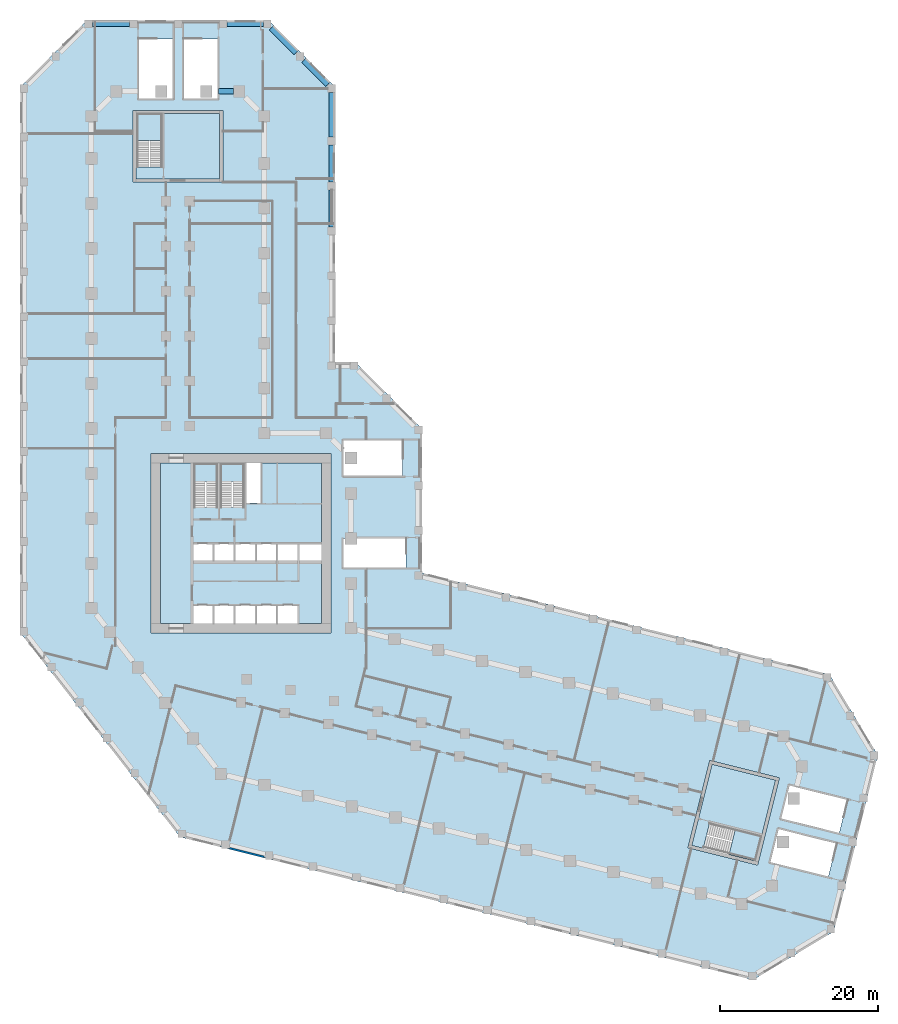
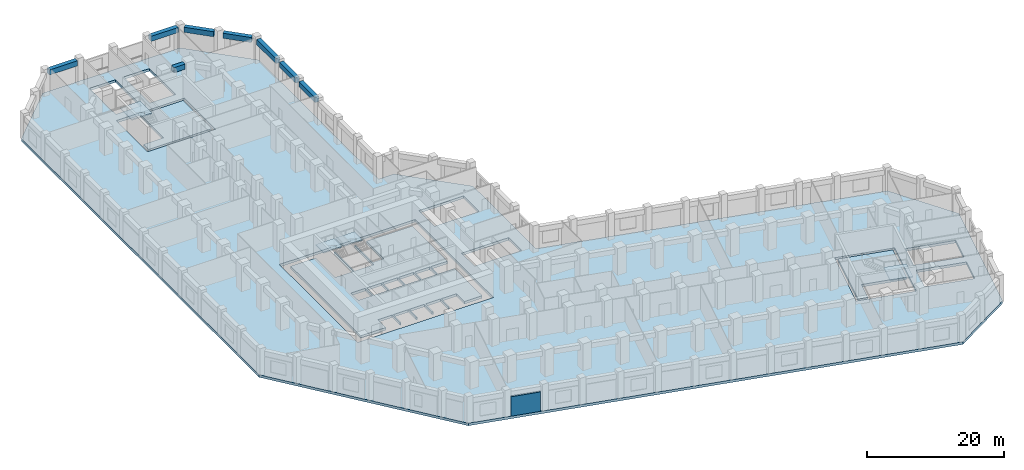
# One storey, part 3 of 13: 8 beams, 8 slabs, 1 wall, 4 elements without a shape of their own.
"""IFC4 building model written with IfcOpenShell, lengths in metres."""

from ifc_helpers import new_model, si_unit, direction, frame, frame_2d, origin, origin_2d, place, context, subcontext, project, spatial, polyline, rectangle, outline, extrude, material, layer, layer_set, material_profile, profile_set, type_object, element, aggregate, save


model = new_model("IFC4")

# Units and contexts
model_context = context("Model", 3, precision=1e-05, world=origin(), true_north=direction((0.0, 1.0)))
body_context = subcontext(model_context, "Body", "Model", "MODEL_VIEW")
ifc_project = project(units=[si_unit("LENGTHUNIT", "METRE"), si_unit("AREAUNIT", "SQUARE_METRE"), si_unit("VOLUMEUNIT", "CUBIC_METRE"), si_unit("PLANEANGLEUNIT", "RADIAN"), si_unit("MASSUNIT", "GRAM", prefix="KILO")], contexts=[model_context])

# Site, building, storey
site_placement = place(None, origin())
site = spatial("IfcSite", under=ifc_project, at=site_placement, CompositionType="ELEMENT")
building_placement = place(site_placement, origin())
building = spatial("IfcBuilding", under=site, at=building_placement, Name="Meshkara Civic Tower", CompositionType="ELEMENT")
storey_placement = place(building_placement, frame((0.0, 0.0, 28.199951171875)))
storey = spatial("IfcBuildingStorey", under=building, at=storey_placement, Name="L05", CompositionType="ELEMENT", Elevation=28.199951171875)

# Beams
ifc_material_1 = material(Name="Concrete C60", Category="concrete")
ifc_material_profile = material_profile(ifc_material_1, rectangle(XDim=0.699951171875, YDim=0.89990234375, at=origin_2d()))
ifc_profile_set = profile_set([ifc_material_profile], Name="Concrete C60")
beam_type = type_object("IfcBeamType", Name="Spandrel beam RC 700x900 C60", PredefinedType="BEAM", material=ifc_profile_set)
beam_1_placement = place(storey_placement, frame((30.403564453125, 83.652587890625, 3.900146484375), z_axis=(-0.707135193312, 0.707078367919, 0.0), x_axis=(-0.707078367919, -0.707135193312, 0.0)))
element("IfcBeam", 1, at=beam_1_placement, inside=storey, type_object=beam_type, Name="Spandrel beam PD12-E-PD13-01", PredefinedType="BEAM", context=body_context, shape_type="SweptSolid", body=[
    extrude(rectangle(XDim=0.699951171875, YDim=0.89990234375, at=origin_2d()), origin(), (0.0, 0.0, 1.0), 4.29638671875),
])
beam_2_placement = place(storey_placement, frame((26.37255859375, 87.68359375, 3.900146484375), z_axis=(-0.707134269933, 0.707079291371, 0.0), x_axis=(-0.707079291371, -0.707134269933, 0.0)))
element("IfcBeam", 2, at=beam_2_placement, inside=storey, type_object=beam_type, Name="Spandrel beam PD00-E-PD13-01", PredefinedType="BEAM", context=body_context, shape_type="SweptSolid", body=[
    extrude(rectangle(XDim=0.699951171875, YDim=0.89990234375, at=origin_2d()), origin(), (0.0, 0.0, 1.0), 4.440673828125),
])
beam_3_placement = place(storey_placement, frame((22.240966796875, 91.320068359375, 3.900146484375), z_axis=(-1.0, 0.0, 0.0), x_axis=(0.0, -1.0, 0.0)))
element("IfcBeam", 3, at=beam_3_placement, inside=storey, type_object=beam_type, Name="Spandrel beam PD00-03-PD00-E", PredefinedType="BEAM", context=body_context, shape_type="SweptSolid", body=[
    extrude(rectangle(XDim=0.699951171875, YDim=0.89990234375, at=origin_2d()), origin(), (0.0, 0.0, 1.0), 4.58203125),
])
for number, where, z_axis, x_axis, name in (
    (4, (5.26904296875, 91.320068359375, 3.900146484375), (-1.0, 0.0, 0.0), (0.0, -1.0, 0.0), "Spandrel beam PD00-00-PD00-01"),
    (5, (30.89990234375, 65.594970703125, 3.900146484375), (0.0, 1.0, 0.0), (-1.0, 0.0, 0.0), "Spandrel beam PD12-03-PD12-04"),
    (6, (30.89990234375, 71.294921875, 3.900146484375), (0.0, 1.0, 0.0), (-1.0, 0.0, 0.0), "Spandrel beam PD12-04-PD12-05"),
):
    element("IfcBeam", number, at=place(storey_placement, frame(where, z_axis=z_axis, x_axis=x_axis)), inside=storey, type_object=beam_type, Name=name, PredefinedType="BEAM", context=body_context, shape_type="SweptSolid", body=[
        extrude(rectangle(XDim=0.699951171875, YDim=0.89990234375, at=origin_2d()), origin(), (0.0, 0.0, 1.0), 4.7099609375),
    ])
beam_4_placement = place(storey_placement, frame((30.89990234375, 76.9951171875, 3.900146484375), z_axis=(0.0, 1.0, 0.0), x_axis=(-1.0, 0.0, 0.0)))
element("IfcBeam", 7, at=beam_4_placement, inside=storey, type_object=beam_type, Name="Spandrel beam PD12-05-PD12-E", PredefinedType="BEAM", context=body_context, shape_type="SweptSolid", body=[
    extrude(rectangle(XDim=0.699951171875, YDim=0.89990234375, at=origin_2d()), origin(), (0.0, 0.0, 1.0), 5.665771484375),
])
beam_5_placement = place(storey_placement, frame((18.448974609375, 82.77001953125, 3.900146484375), z_axis=(-1.0, 0.0, 0.0), x_axis=(0.0, -1.0, 0.0)))
element("IfcBeam", 8, at=beam_5_placement, inside=storey, type_object=beam_type, Name="Spandrel beam AT02-ATiE", PredefinedType="BEAM", context=body_context, shape_type="SweptSolid", body=[
    extrude(rectangle(XDim=0.699951171875, YDim=0.89990234375, at=origin_2d()), origin(), (0.0, 0.0, 1.0), 1.864013671875),
])

# Slabs
ifc_material_2 = material(Name="Concrete C40/50", Category="concrete")
ifc_layer_1 = layer(ifc_material_2, 0.449951171875)
ifc_layer_set_1 = layer_set([ifc_layer_1], Name="Core floor slab 450 C40/50")
slab_type_1 = type_object("IfcSlabType", Name="Core floor slab 450 C40/50", PredefinedType="FLOOR", material=ifc_layer_set_1)
slab_1_placement = place(storey_placement, frame((0.0, 0.0, -0.449951171875)))
element("IfcSlab", 9, at=slab_1_placement, inside=storey, type_object=slab_type_1, Name="Core floor K", PredefinedType="FLOOR", context=body_context, shape_type="SweptSolid", body=[
    extrude(outline(polyline([(9.199951171875, 35.699951171875), (13.39990234375, 35.699951171875), (13.39990234375, 30.00146484375), (16.5, 30.00146484375), (16.5, 35.699951171875), (16.699951171875, 35.699951171875), (16.699951171875, 30.00146484375), (19.89990234375, 30.00146484375), (19.89990234375, 35.699951171875), (20.10009765625, 35.699951171875), (20.10009765625, 30.574951171875), (21.925048828125, 30.574951171875), (21.925048828125, 35.699951171875), (29.60009765625, 35.699951171875), (29.60009765625, 25.39990234375), (26.800048828125, 25.39990234375), (26.800048828125, 23.300048828125), (29.60009765625, 23.300048828125), (29.60009765625, 15.300048828125), (26.60009765625, 15.300048828125), (26.60009765625, 17.60009765625), (24.10009765625, 17.60009765625), (24.10009765625, 15.300048828125), (23.89990234375, 15.300048828125), (23.89990234375, 17.60009765625), (21.39990234375, 17.60009765625), (21.39990234375, 15.300048828125), (21.199951171875, 15.300048828125), (21.199951171875, 17.60009765625), (18.699951171875, 17.60009765625), (18.699951171875, 15.300048828125), (18.5, 15.300048828125), (18.5, 17.60009765625), (16.0, 17.60009765625), (16.0, 15.300048828125), (15.800048828125, 15.300048828125), (15.800048828125, 17.60009765625), (13.39990234375, 17.60009765625), (13.39990234375, 15.300048828125), (9.199951171875, 15.300048828125), (9.199951171875, 35.699951171875)]), holes=[polyline([(13.39990234375, 25.39990234375), (13.39990234375, 23.300048828125), (15.800048828125, 23.300048828125), (15.800048828125, 25.39990234375), (13.39990234375, 25.39990234375)]), polyline([(18.5, 23.300048828125), (18.5, 25.39990234375), (16.0, 25.39990234375), (16.0, 23.300048828125), (18.5, 23.300048828125)]), polyline([(18.699951171875, 25.39990234375), (18.699951171875, 23.300048828125), (21.199951171875, 23.300048828125), (21.199951171875, 25.39990234375), (18.699951171875, 25.39990234375)]), polyline([(23.89990234375, 25.39990234375), (21.39990234375, 25.39990234375), (21.39990234375, 23.300048828125), (23.89990234375, 23.300048828125), (23.89990234375, 25.39990234375)]), polyline([(24.10009765625, 23.300048828125), (26.60009765625, 23.300048828125), (26.60009765625, 25.39990234375), (24.10009765625, 25.39990234375), (24.10009765625, 23.300048828125)])]), origin(), (0.0, 0.0, 1.0), 0.449951171875),
])
slab_2_placement = place(storey_placement, frame((0.0, 0.0, -0.449951171875)))
element("IfcSlab", 10, at=slab_2_placement, inside=storey, type_object=slab_type_1, Name="Core floor EA", PredefinedType="FLOOR", context=body_context, shape_type="SweptSolid", body=[
    extrude(outline(polyline([(16.699951171875, 71.669921875), (16.699951171875, 79.969970703125), (9.5, 79.969970703125), (9.5, 73.17138671875), (6.10009765625, 73.17138671875), (6.10009765625, 71.669921875), (16.699951171875, 71.669921875)])), origin(), (0.0, 0.0, 1.0), 0.449951171875),
])
slab_3_placement = place(storey_placement, frame((0.0, 0.0, -0.449951171875)))
element("IfcSlab", 11, at=slab_3_placement, inside=storey, type_object=slab_type_1, Name="Core floor EB", PredefinedType="FLOOR", context=body_context, shape_type="SweptSolid", body=[
    extrude(outline(polyline([(79.11181640625, -2.513671875), (87.165283203125, -4.521484375), (85.423583984375, -11.507568359375), (78.826904296875, -9.863037109375), (78.00439453125, -13.161865234375), (76.547607421875, -12.798583984375), (79.11181640625, -2.513671875)])), origin(), (0.0, 0.0, 1.0), 0.449951171875),
])

# Stair, slab
ifc_material_3 = material(Name="Precast concrete C40/50", Category="concrete")
stair_type_1 = type_object("IfcStairType", Name="Exit stair half-turn 26 risers precast", PredefinedType="HALF_TURN_STAIR", material=ifc_material_3)
stair_1_placement = place(storey_placement, origin())
stair_1 = element("IfcStair", 12, at=stair_1_placement, inside=storey, type_object=stair_type_1, Name="L05 exit stair 1", PredefinedType="HALF_TURN_STAIR")
ifc_material_4 = material(Name="Precast concrete C40/50", Category="concrete")
ifc_layer_2 = layer(ifc_material_4, 0.199951171875)
ifc_layer_set_2 = layer_set([ifc_layer_2], Name="Exit stair landing 200")
slab_type_2 = type_object("IfcSlabType", Name="Exit stair landing 200", PredefinedType="LANDING", material=ifc_layer_set_2)
slab_4_placement = place(storey_placement, frame((0.0, 0.0, 2.199951171875)))
slab_4 = element("IfcSlab", 13, at=slab_4_placement, type_object=slab_type_2, Name="ST1 landing 1", PredefinedType="LANDING", context=body_context, shape_type="SweptSolid", body=[
    extrude(outline(polyline([(16.5, 33.3583984375), (16.5, 35.699951171875), (13.39990234375, 35.699951171875), (13.39990234375, 33.3583984375), (16.5, 33.3583984375)])), origin(), (0.0, 0.0, 1.0), 0.2001953125),
])
aggregate(stair_1, [slab_4])

stair_2_placement = place(storey_placement, origin())
stair_2 = element("IfcStair", 14, at=stair_2_placement, inside=storey, type_object=stair_type_1, Name="L05 exit stair 2", PredefinedType="HALF_TURN_STAIR")
slab_5_placement = place(storey_placement, frame((0.0, 0.0, 2.199951171875)))
slab_5 = element("IfcSlab", 15, at=slab_5_placement, type_object=slab_type_2, Name="ST2 landing 1", PredefinedType="LANDING", context=body_context, shape_type="SweptSolid", body=[
    extrude(outline(polyline([(19.89990234375, 33.3583984375), (19.89990234375, 35.699951171875), (16.699951171875, 35.699951171875), (16.699951171875, 33.3583984375), (19.89990234375, 33.3583984375)])), origin(), (0.0, 0.0, 1.0), 0.2001953125),
])
aggregate(stair_2, [slab_5])

ifc_material_5 = material(Name="Precast concrete C40/50", Category="concrete")
stair_type_2 = type_object("IfcStairType", Name="Exit stair half-turn 26 risers 1500 precast", PredefinedType="HALF_TURN_STAIR", material=ifc_material_5)
stair_3_placement = place(storey_placement, origin())
stair_3 = element("IfcStair", 16, at=stair_3_placement, inside=storey, type_object=stair_type_2, Name="L05 exit stair A from B2", PredefinedType="HALF_TURN_STAIR")
slab_6_placement = place(storey_placement, frame((0.0, 0.0, 2.199951171875)))
slab_6 = element("IfcSlab", 17, at=slab_6_placement, type_object=slab_type_2, Name="ESA1 landing 1", PredefinedType="LANDING", context=body_context, shape_type="SweptSolid", body=[
    extrude(outline(polyline([(9.5, 76.528564453125), (9.5, 79.969970703125), (6.10009765625, 79.969970703125), (6.10009765625, 76.528564453125), (9.5, 76.528564453125)])), origin(), (0.0, 0.0, 1.0), 0.2001953125),
])
aggregate(stair_3, [slab_6])

stair_4_placement = place(storey_placement, origin())
stair_4 = element("IfcStair", 18, at=stair_4_placement, inside=storey, type_object=stair_type_2, Name="L05 exit stair B from B2", PredefinedType="HALF_TURN_STAIR")
slab_7_placement = place(storey_placement, frame((0.0, 0.0, 2.199951171875)))
slab_7 = element("IfcSlab", 19, at=slab_7_placement, type_object=slab_type_2, Name="ESB1 landing 1", PredefinedType="LANDING", context=body_context, shape_type="SweptSolid", body=[
    extrude(outline(polyline([(81.261474609375, -13.974853515625), (84.600830078125, -14.80810546875), (85.424072265625, -11.50830078125), (82.084716796875, -10.675048828125), (81.261474609375, -13.974853515625)])), origin(), (0.0, 0.0, 1.0), 0.2001953125),
])
aggregate(stair_4, [slab_7])

# Slab
ifc_material_6 = material(Name="Concrete C50", Category="concrete")
ifc_layer_3 = layer(ifc_material_6, 0.449951171875)
ifc_layer_set_3 = layer_set([ifc_layer_3], Name="Podium floor slab 450 C50")
slab_type_3 = type_object("IfcSlabType", Name="Podium floor slab 450 C50", PredefinedType="FLOOR", material=ifc_layer_set_3)
slab_8_placement = place(storey_placement, frame((0.0, 0.0, -0.449951171875)))
element("IfcSlab", 20, at=slab_8_placement, inside=storey, type_object=slab_type_3, Name="Podium floor slab L05", PredefinedType="FLOOR", context=body_context, shape_type="SweptSolid", body=[
    extrude(outline(polyline([(33.922119140625, 48.449951171875), (42.35009765625, 40.02197265625), (42.35009765625, 21.7509765625), (93.97998046875, 8.876953125), (100.1201171875, -1.339111328125), (94.544921875, -23.697998046875), (84.327880859375, -29.8369140625), (11.6669921875, -11.720947265625), (-8.550048828125, 14.156005859375), (-8.550048828125, 83.342041015625), (-0.1220703125, 91.77001953125), (22.922119140625, 91.77001953125), (31.35009765625, 83.342041015625), (31.35009765625, 48.449951171875), (33.922119140625, 48.449951171875)]), holes=[polyline([(30.800048828125, 14.10009765625), (30.800048828125, 36.89990234375), (8.0, 36.89990234375), (8.0, 14.10009765625), (30.800048828125, 14.10009765625)]), polyline([(17.10009765625, 80.3701171875), (5.699951171875, 80.3701171875), (5.699951171875, 71.27001953125), (17.10009765625, 71.27001953125), (17.10009765625, 80.3701171875)]), polyline([(10.784912109375, 81.821044921875), (10.784912109375, 89.4189453125), (6.43505859375, 89.4189453125), (6.43505859375, 81.821044921875), (10.784912109375, 81.821044921875)]), polyline([(16.485107421875, 81.821044921875), (16.485107421875, 89.4189453125), (12.135009765625, 89.4189453125), (12.135009765625, 81.821044921875), (16.485107421875, 81.821044921875)]), polyline([(93.85009765625, -16.767578125), (94.90234375, -12.546630859375), (87.530029296875, -10.70849609375), (86.477783203125, -14.929443359375), (93.85009765625, -16.767578125)]), polyline([(78.821044921875, -2.029052734375), (76.06298828125, -13.090087890625), (84.89208984375, -15.2919921875), (87.64990234375, -4.22998046875), (78.821044921875, -2.029052734375)]), polyline([(95.22900390625, -11.236572265625), (96.281494140625, -7.015625), (88.9091796875, -5.177490234375), (87.856689453125, -9.3984375), (95.22900390625, -11.236572265625)]), polyline([(32.40087890625, 22.375), (40.299072265625, 22.375), (40.299072265625, 26.125), (32.40087890625, 26.125), (32.40087890625, 22.375)]), polyline([(32.40087890625, 34.02490234375), (39.89892578125, 34.02490234375), (39.89892578125, 38.574951171875), (32.40087890625, 38.574951171875), (32.40087890625, 34.02490234375)])]), origin(), (0.0, 0.0, 1.0), 0.449951171875),
])

# Wall
ifc_material_7 = material(Name="Stone cladding on insulated backing wall", Category="masonry")
ifc_layer_4 = layer(ifc_material_7, 0.25)
ifc_layer_set_4 = layer_set([ifc_layer_4], Name="PODIUM STONE WALL 250")
wall_type = type_object("IfcWallType", Name="PODIUM STONE WALL 250", PredefinedType="SOLIDWALL", material=ifc_layer_set_4)
wall_placement = place(storey_placement, frame((17.967041015625, -13.1630859375, 0.0), z_axis=(0.0, 0.0, 1.0), x_axis=(0.970315118421, -0.24184410467, 0.0)))
element("IfcWall", 21, at=wall_placement, inside=storey, type_object=wall_type, Name="Podium external wall", PredefinedType="SOLIDWALL", context=body_context, shape_type="SweptSolid", body=[
    extrude(rectangle(XDim=4.486083984375, YDim=0.25, at=frame_2d((2.2431640625, 0.0))), origin(), (0.0, 0.0, 1.0), 3.449951171875),
])

save(model, "model.ifc")
